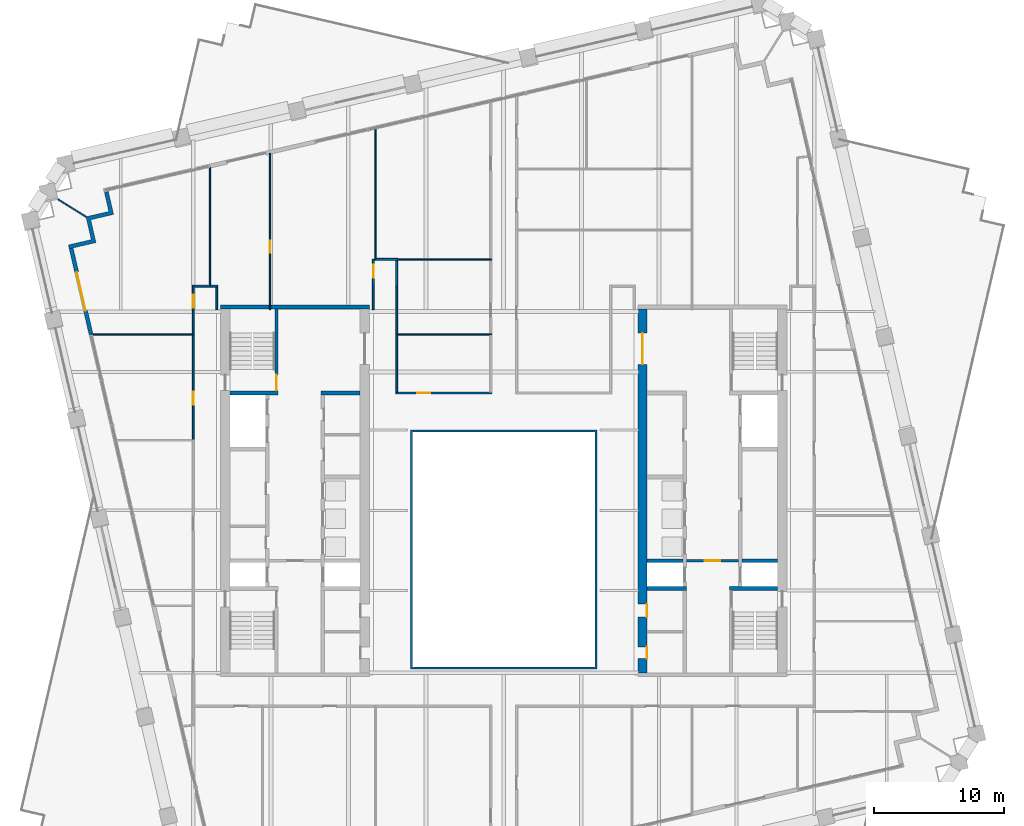
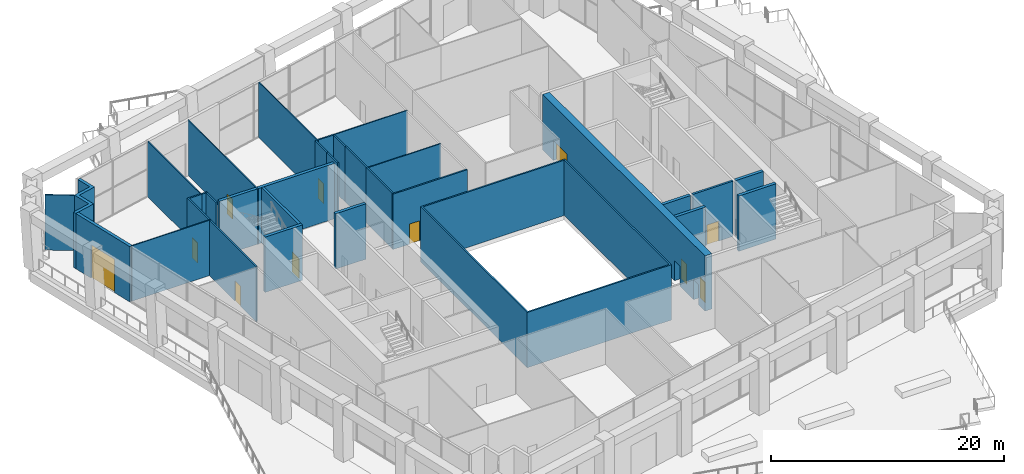
# One storey, part 14 of 24: 32 walls, 11 doors, 11 openings.
"""IFC4 building model written with IfcOpenShell, lengths in metres."""

from ifc_helpers import new_model, si_unit, direction, frame, frame_2d, origin, place, context, subcontext, project, spatial, polyline, rectangle, outline, extrude, material, layer, layer_set, type_object, element, fill, save


model = new_model("IFC4")

# Units and contexts
model_context = context("Model", 3, precision=1e-05, world=origin(), true_north=direction((0.0, 1.0)))
body_context = subcontext(model_context, "Body", "Model", "MODEL_VIEW")
ifc_project = project(units=[si_unit("LENGTHUNIT", "METRE"), si_unit("AREAUNIT", "SQUARE_METRE"), si_unit("VOLUMEUNIT", "CUBIC_METRE"), si_unit("PLANEANGLEUNIT", "RADIAN"), si_unit("MASSUNIT", "GRAM", prefix="KILO")], contexts=[model_context])

# Site, building, storey
site_placement = place(None, origin())
site = spatial("IfcSite", under=ifc_project, at=site_placement, CompositionType="ELEMENT")
building_placement = place(site_placement, origin())
building = spatial("IfcBuilding", under=site, at=building_placement, Name="Ogive Exchange Tower", CompositionType="ELEMENT")
storey_placement = place(building_placement, frame((0.0, 0.0, 165.60009765625)))
storey = spatial("IfcBuildingStorey", under=building, at=storey_placement, Name="L36", CompositionType="ELEMENT", Elevation=165.60009765625)

# Wall
ifc_material_1 = material(Name="Gypsum board partition")
ifc_layer_1 = layer(ifc_material_1, 0.300048828125)
ifc_layer_set_1 = layer_set([ifc_layer_1], Name="Core room partition 300 gypsum")
wall_type_1 = type_object("IfcWallType", Name="Core room partition 300 gypsum", PredefinedType="PARTITIONING", material=ifc_layer_set_1)
wall_1_placement = place(storey_placement, frame((-14.0, 19.0, 0.0), z_axis=(0.0, 0.0, 1.0), x_axis=(1.0, 0.0, 0.0)))
element("IfcWall", 1, at=wall_1_placement, inside=storey, type_object=wall_type_1, Name="W row B room end wall 7", PredefinedType="PARTITIONING", context=body_context, shape_type="SweptSolid", body=[
    extrude(rectangle(XDim=3.0, YDim=0.300048828125, at=frame_2d((1.5, 0.0))), origin(), (0.0, 0.0, 1.0), 5.7998046875),
])

# Wall, opening, door
ifc_material_2 = material(Name="Fire partition EI 60 150")
ifc_layer_2 = layer(ifc_material_2, 0.14990234375)
ifc_layer_set_2 = layer_set([ifc_layer_2], Name="Fire partition EI 60 150")
wall_type_2 = type_object("IfcWallType", Name="Fire partition EI 60 150", PredefinedType="PARTITIONING", material=ifc_layer_set_2)
wall_2_placement = place(storey_placement, frame((-23.800048828125, 15.429931640625, 0.0), z_axis=(0.0, 0.0, 1.0), x_axis=(0.0, 1.0, 0.0)))
wall_2 = element("IfcWall", 2, at=wall_2_placement, inside=storey, type_object=wall_type_2, Name="L36-PWL-007", PredefinedType="PARTITIONING", context=body_context, shape_type="SweptSolid", body=[
    extrude(rectangle(XDim=8.010009765625, YDim=0.14990234375, at=frame_2d((4.0048828125, 0.0))), origin(), (0.0, 0.0, 1.0), 5.7998046875),
])
opening_1_placement = place(wall_2_placement, frame((2.659912109375, 0.0, 0.0)))
opening_1 = element("IfcOpeningElement", 3, at=opening_1_placement, cuts=wall_2, Name="Opening L36-I02", PredefinedType="OPENING", context=body_context, shape_type="SweptSolid", body=[
    extrude(rectangle(XDim=1.0, YDim=2.10009765625, at=frame_2d((0.5, 1.050048828125))), frame((0.0, 0.0849609375, 0.0), z_axis=(0.0, -1.0, 0.0), x_axis=(1.0, 0.0, 0.0)), (0.0, 0.0, 1.0), 0.169921875),
])
ifc_material_3 = material(Name="Fire door FD 30S 1000 x 2100")
door_type_1 = type_object("IfcDoorType", Name="Fire door FD 30S 1000 x 2100", OperationType="NOTDEFINED", PredefinedType="DOOR", material=ifc_material_3)
door_1_placement = place(opening_1_placement, origin())
door_1 = element("IfcDoor", 4, at=door_1_placement, inside=storey, type_object=door_type_1, Name="L36-IDR-002", ObjectType="DT3", OperationType="SINGLE_SWING_RIGHT", OverallHeight=2.10009765625, OverallWidth=1.0, PredefinedType="DOOR", context=body_context, shape_type="SweptSolid", body=[
    extrude(rectangle(XDim=1.0, YDim=2.10009765625, at=frame_2d((0.5, 1.050048828125))), frame((0.0, 0.02490234375, 0.0), z_axis=(0.0, -1.0, 0.0), x_axis=(1.0, 0.0, 0.0)), (0.0, 0.0, 1.0), 0.050048828125),
])
fill(opening_1, door_1)

wall_3_placement = place(storey_placement, frame((-23.800048828125, 23.5400390625, 0.0), z_axis=(0.0, 0.0, 1.0), x_axis=(0.0, 1.0, 0.0)))
wall_3 = element("IfcWall", 5, at=wall_3_placement, inside=storey, type_object=wall_type_2, Name="L36-PWL-008", PredefinedType="PARTITIONING", context=body_context, shape_type="SweptSolid", body=[
    extrude(rectangle(XDim=3.73486328125, YDim=0.14990234375, at=frame_2d((1.867431640625, 0.0))), origin(), (0.0, 0.0, 1.0), 5.7998046875),
])
opening_2_placement = place(wall_3_placement, frame((2.010009765625, 0.0, 0.0)))
opening_2 = element("IfcOpeningElement", 6, at=opening_2_placement, cuts=wall_3, Name="Opening L36-I08", PredefinedType="OPENING", context=body_context, shape_type="SweptSolid", body=[
    extrude(rectangle(XDim=1.0, YDim=2.10009765625, at=frame_2d((0.5, 1.050048828125))), frame((0.0, 0.0849609375, 0.0), z_axis=(0.0, -1.0, 0.0), x_axis=(1.0, 0.0, 0.0)), (0.0, 0.0, 1.0), 0.169921875),
])
door_2_placement = place(opening_2_placement, origin())
door_2 = element("IfcDoor", 7, at=door_2_placement, inside=storey, type_object=door_type_1, Name="L36-IDR-008", ObjectType="DT3", OperationType="SINGLE_SWING_RIGHT", OverallHeight=2.10009765625, OverallWidth=1.0, PredefinedType="DOOR", context=body_context, shape_type="SweptSolid", body=[
    extrude(rectangle(XDim=1.0, YDim=2.10009765625, at=frame_2d((0.5, 1.050048828125))), frame((0.0, 0.02490234375, 0.0), z_axis=(0.0, -1.0, 0.0), x_axis=(1.0, 0.0, 0.0)), (0.0, 0.0, 1.0), 0.050048828125),
])
fill(opening_2, door_2)

# Walls
wall_4_placement = place(storey_placement, frame((-23.72509765625, 27.199951171875, 0.0), z_axis=(0.0, 0.0, 1.0), x_axis=(1.0, 0.0, 0.0)))
element("IfcWall", 8, at=wall_4_placement, inside=storey, type_object=wall_type_2, Name="L36-PWL-009", PredefinedType="PARTITIONING", context=body_context, shape_type="SweptSolid", body=[
    extrude(rectangle(XDim=1.255126953125, YDim=0.14990234375, at=frame_2d((0.62744140625, 0.0))), origin(), (0.0, 0.0, 1.0), 5.7998046875),
])
wall_5_placement = place(storey_placement, frame((-22.469970703125, 27.199951171875, 0.0), z_axis=(0.0, 0.0, 1.0), x_axis=(1.0, 0.0, 0.0)))
element("IfcWall", 9, at=wall_5_placement, inside=storey, type_object=wall_type_2, Name="L36-PWL-013", PredefinedType="PARTITIONING", context=body_context, shape_type="SweptSolid", body=[
    extrude(rectangle(XDim=0.544921875, YDim=0.14990234375, at=frame_2d((0.2724609375, 0.0))), origin(), (0.0, 0.0, 1.0), 5.7998046875),
])
wall_6_placement = place(storey_placement, frame((-22.0, 27.125, 0.0), z_axis=(0.0, 0.0, 1.0), x_axis=(0.0, -1.0, 0.0)))
element("IfcWall", 10, at=wall_6_placement, inside=storey, type_object=wall_type_2, Name="L36-PWL-014", PredefinedType="PARTITIONING", context=body_context, shape_type="SweptSolid", body=[
    extrude(rectangle(XDim=1.72509765625, YDim=0.14990234375, at=frame_2d((0.862548828125, 0.0))), origin(), (0.0, 0.0, 1.0), 5.7998046875),
])
wall_7_placement = place(storey_placement, frame((-10.0, 25.389892578125, 0.0), z_axis=(0.0, 0.0, 1.0), x_axis=(0.0, 1.0, 0.0)))
element("IfcWall", 11, at=wall_7_placement, inside=storey, type_object=wall_type_2, Name="L36-PWL-020", PredefinedType="PARTITIONING", context=body_context, shape_type="SweptSolid", body=[
    extrude(rectangle(XDim=1.81005859375, YDim=0.14990234375, at=frame_2d((0.905029296875, 0.0))), origin(), (0.0, 0.0, 1.0), 5.7998046875),
])

# Wall, opening, door
wall_8_placement = place(storey_placement, frame((-9.989990234375, 27.199951171875, 0.0), z_axis=(0.0, 0.0, 1.0), x_axis=(0.0, 1.0, 0.0)))
wall_8 = element("IfcWall", 12, at=wall_8_placement, inside=storey, type_object=wall_type_2, Name="L36-PWL-021", PredefinedType="PARTITIONING", context=body_context, shape_type="SweptSolid", body=[
    extrude(rectangle(XDim=2.0400390625, YDim=0.14990234375, at=frame_2d((1.02001953125, 0.0))), origin(), (0.0, 0.0, 1.0), 5.7998046875),
])
opening_3_placement = place(wall_8_placement, frame((0.639892578125, 0.0, 0.0)))
opening_3 = element("IfcOpeningElement", 13, at=opening_3_placement, cuts=wall_8, Name="Opening L36-I06", PredefinedType="OPENING", context=body_context, shape_type="SweptSolid", body=[
    extrude(rectangle(XDim=1.0, YDim=2.10009765625, at=frame_2d((0.5, 1.050048828125))), frame((0.0, 0.0849609375, 0.0), z_axis=(0.0, -1.0, 0.0), x_axis=(1.0, 0.0, 0.0)), (0.0, 0.0, 1.0), 0.169921875),
])
door_3_placement = place(opening_3_placement, origin())
door_3 = element("IfcDoor", 14, at=door_3_placement, inside=storey, type_object=door_type_1, Name="L36-IDR-006", ObjectType="DT3", OperationType="SINGLE_SWING_RIGHT", OverallHeight=2.10009765625, OverallWidth=1.0, PredefinedType="DOOR", context=body_context, shape_type="SweptSolid", body=[
    extrude(rectangle(XDim=1.0, YDim=2.10009765625, at=frame_2d((0.5, 1.050048828125))), frame((0.0, 0.02490234375, 0.0), z_axis=(0.0, -1.0, 0.0), x_axis=(1.0, 0.0, 0.0)), (0.0, 0.0, 1.0), 0.050048828125),
])
fill(opening_3, door_3)

# Walls
wall_9_placement = place(storey_placement, frame((-9.780029296875, 29.239990234375, 0.0), z_axis=(0.0, 0.0, 1.0), x_axis=(1.0, 0.0, 0.0)))
element("IfcWall", 15, at=wall_9_placement, inside=storey, type_object=wall_type_2, Name="L36-PWL-026", PredefinedType="PARTITIONING", context=body_context, shape_type="SweptSolid", body=[
    extrude(rectangle(XDim=1.64501953125, YDim=0.14990234375, at=frame_2d((0.822509765625, 0.0))), origin(), (0.0, 0.0, 1.0), 5.7998046875),
])
wall_10_placement = place(storey_placement, frame((-8.2099609375, 29.1650390625, 0.0), z_axis=(0.0, 0.0, 1.0), x_axis=(0.0, -1.0, 0.0)))
element("IfcWall", 16, at=wall_10_placement, inside=storey, type_object=wall_type_2, Name="L36-PWL-027", PredefinedType="PARTITIONING", context=body_context, shape_type="SweptSolid", body=[
    extrude(rectangle(XDim=1.965087890625, YDim=0.14990234375, at=frame_2d((0.982421875, 0.0))), origin(), (0.0, 0.0, 1.0), 5.7998046875),
])

# Wall, opening, door
wall_11_placement = place(storey_placement, frame((-8.27490234375, 19.0, 0.0), z_axis=(0.0, 0.0, 1.0), x_axis=(1.0, 0.0, 0.0)))
wall_11 = element("IfcWall", 17, at=wall_11_placement, inside=storey, type_object=wall_type_2, Name="L36-PWL-029", PredefinedType="PARTITIONING", context=body_context, shape_type="SweptSolid", body=[
    extrude(rectangle(XDim=7.35986328125, YDim=0.14990234375, at=frame_2d((3.679931640625, 0.0))), origin(), (0.0, 0.0, 1.0), 5.7998046875),
])
opening_4_placement = place(wall_11_placement, frame((1.635009765625, 0.0, 0.0)))
opening_4 = element("IfcOpeningElement", 18, at=opening_4_placement, cuts=wall_11, Name="Opening L36-I03", PredefinedType="OPENING", context=body_context, shape_type="SweptSolid", body=[
    extrude(rectangle(XDim=1.0, YDim=2.10009765625, at=frame_2d((0.5, 1.050048828125))), frame((0.0, 0.0849609375, 0.0), z_axis=(0.0, -1.0, 0.0), x_axis=(1.0, 0.0, 0.0)), (0.0, 0.0, 1.0), 0.169921875),
])
door_4_placement = place(opening_4_placement, origin())
door_4 = element("IfcDoor", 19, at=door_4_placement, inside=storey, type_object=door_type_1, Name="L36-IDR-003", ObjectType="DT3", OperationType="SINGLE_SWING_RIGHT", OverallHeight=2.10009765625, OverallWidth=1.0, PredefinedType="DOOR", context=body_context, shape_type="SweptSolid", body=[
    extrude(rectangle(XDim=1.0, YDim=2.10009765625, at=frame_2d((0.5, 1.050048828125))), frame((0.0, 0.02490234375, 0.0), z_axis=(0.0, -1.0, 0.0), x_axis=(1.0, 0.0, 0.0)), (0.0, 0.0, 1.0), 0.050048828125),
])
fill(opening_4, door_4)

# Walls
wall_12_placement = place(storey_placement, frame((-8.199951171875, 23.5400390625, 0.0), z_axis=(0.0, 0.0, 1.0), x_axis=(0.0, -1.0, 0.0)))
element("IfcWall", 20, at=wall_12_placement, inside=storey, type_object=wall_type_2, Name="L36-PWL-030", PredefinedType="PARTITIONING", context=body_context, shape_type="SweptSolid", body=[
    extrude(rectangle(XDim=4.465087890625, YDim=0.14990234375, at=frame_2d((2.232421875, 0.0))), origin(), (0.0, 0.0, 1.0), 5.7998046875),
])
wall_13_placement = place(storey_placement, frame((-8.199951171875, 27.199951171875, 0.0), z_axis=(0.0, 0.0, 1.0), x_axis=(0.0, -1.0, 0.0)))
element("IfcWall", 21, at=wall_13_placement, inside=storey, type_object=wall_type_2, Name="L36-PWL-032", PredefinedType="PARTITIONING", context=body_context, shape_type="SweptSolid", body=[
    extrude(rectangle(XDim=3.659912109375, YDim=0.14990234375, at=frame_2d((1.830078125, 0.0))), origin(), (0.0, 0.0, 1.0), 5.7998046875),
])
ifc_material_4 = material(Name="Fire-resisting glass in steel frame", Category="steel")
ifc_layer_3 = layer(ifc_material_4, 0.14990234375)
ifc_layer_set_3 = layer_set([ifc_layer_3], Name="Fire-rated glazed wall 150")
wall_type_3 = type_object("IfcWallType", Name="Fire-rated glazed wall 150", PredefinedType="STANDARD", material=ifc_layer_set_3)
wall_14_placement = place(storey_placement, origin())
element("IfcWall", 22, at=wall_14_placement, inside=storey, type_object=wall_type_3, Name="Nave enclosure wall", PredefinedType="STANDARD", context=body_context, shape_type="SweptSolid", body=[
    extrude(outline(polyline([(-7.14990234375, -2.14990234375), (7.14990234375, -2.14990234375), (7.14990234375, 16.14990234375), (-7.14990234375, 16.14990234375), (-7.14990234375, -2.14990234375)]), holes=[polyline([(-7.0, -2.0), (-7.0, 16.0), (7.0, 16.0), (7.0, -2.0), (-7.0, -2.0)])]), origin(), (0.0, 0.0, 1.0), 5.7998046875),
])

# Wall, opening, door
ifc_material_5 = material(Name="Precast concrete C40/50", Category="concrete")
ifc_layer_4 = layer(ifc_material_5, 0.300048828125)
ifc_layer_set_4 = layer_set([ifc_layer_4], Name="Limestone-faced wall 300")
wall_type_4 = type_object("IfcWallType", Name="Limestone-faced wall 300", PredefinedType="STANDARD", material=ifc_layer_set_4)
wall_15_placement = place(storey_placement, frame((-33.1572265625, 30.092041015625, 0.0), z_axis=(0.0, 0.0, 1.0), x_axis=(0.224961553766, -0.974367640743, 0.0)))
wall_15 = element("IfcWall", 23, at=wall_15_placement, inside=storey, type_object=wall_type_4, Name="External wall W7", PredefinedType="STANDARD", context=body_context, shape_type="SweptSolid", body=[
    extrude(rectangle(XDim=6.814208984375, YDim=0.300048828125, at=frame_2d((3.4072265625, 0.0))), origin(), (0.0, 0.0, 1.0), 5.7998046875),
])
opening_5_placement = place(wall_15_placement, frame((1.906982421875, 0.0, 0.0)))
opening_5 = element("IfcOpeningElement", 24, at=opening_5_placement, cuts=wall_15, Name="Opening D2", PredefinedType="OPENING", context=body_context, shape_type="SweptSolid", body=[
    extrude(rectangle(XDim=3.0, YDim=3.5, at=frame_2d((1.5, 1.75))), frame((0.0, 0.159912109375, 0.0), z_axis=(0.0, -1.0, 0.0), x_axis=(1.0, 0.0, 0.0)), (0.0, 0.0, 1.0), 0.320068359375),
])
ifc_material_6 = material(Name="Clear glass in bronze frame", Category="glass")
door_type_2 = type_object("IfcDoorType", Name="Winter garden sliding door 3000 x 3500", OperationType="DOUBLE_DOOR_SLIDING", PredefinedType="DOOR", material=ifc_material_6)
door_5_placement = place(opening_5_placement, origin())
door_5 = element("IfcDoor", 25, at=door_5_placement, inside=storey, type_object=door_type_2, Name="Loggia door W00", OperationType="DOUBLE_DOOR_SLIDING", OverallHeight=3.5, OverallWidth=3.0, PredefinedType="DOOR", context=body_context, shape_type="SweptSolid", body=[
    extrude(rectangle(XDim=3.0, YDim=3.5, at=frame_2d((1.5, 1.75))), frame((0.0, 0.02490234375, 0.0), z_axis=(0.0, -1.0, 0.0), x_axis=(1.0, 0.0, 0.0)), (0.0, 0.0, 1.0), 0.050048828125),
])
fill(opening_5, door_5)

# Walls
wall_16_placement = place(storey_placement, origin())
element("IfcWall", 26, at=wall_16_placement, inside=storey, type_object=wall_type_4, Name="External corner wall C3", PredefinedType="STANDARD", context=body_context, shape_type="SweptSolid", body=[
    extrude(outline(polyline([(-31.616943359375, 30.755615234375), (-32.02197265625, 32.509521484375), (-30.26806640625, 32.914306640625), (-30.60546875, 34.3759765625), (-30.31298828125, 34.443359375), (-29.908203125, 32.689697265625), (-31.662109375, 32.28466796875), (-31.257080078125, 30.53076171875), (-33.30322265625, 30.058349609375), (-33.370849609375, 30.3505859375), (-31.616943359375, 30.755615234375)])), origin(), (0.0, 0.0, 1.0), 5.7998046875),
])
ifc_material_7 = material(Name="Laminated safety glass in steel frame", Category="steel")
ifc_layer_5 = layer(ifc_material_7, 0.10009765625)
ifc_layer_set_5 = layer_set([ifc_layer_5], Name="Loggia end screen 100")
wall_type_5 = type_object("IfcWallType", Name="Loggia end screen 100", PredefinedType="STANDARD", material=ifc_layer_set_5)
wall_17_placement = place(storey_placement, frame((-32.02197265625, 32.509521484375, 0.0), z_axis=(0.0, 0.0, 1.0), x_axis=(-0.848047176257, 0.529920736377, 0.0)))
element("IfcWall", 27, at=wall_17_placement, inside=storey, type_object=wall_type_5, Name="Loggia end screen C3", PredefinedType="STANDARD", context=body_context, shape_type="SweptSolid", body=[
    extrude(rectangle(XDim=2.525634765625, YDim=0.10009765625, at=frame_2d((1.2626953125, 0.0))), origin(), (0.0, 0.0, 1.0), 5.7998046875),
])
ifc_material_8 = material(Name="Partition 100 gypsum")
ifc_layer_6 = layer(ifc_material_8, 0.10009765625)
ifc_layer_set_6 = layer_set([ifc_layer_6], Name="Partition 100 gypsum")
wall_type_6 = type_object("IfcWallType", Name="Partition 100 gypsum", PredefinedType="PARTITIONING", material=ifc_layer_set_6)
wall_18_placement = place(storey_placement, frame((-31.56201171875, 23.489990234375, 0.0), z_axis=(0.0, 0.0, 1.0), x_axis=(1.0, 0.0, 0.0)))
element("IfcWall", 28, at=wall_18_placement, inside=storey, type_object=wall_type_6, Name="L36-PWL-001", PredefinedType="PARTITIONING", context=body_context, shape_type="SweptSolid", body=[
    extrude(rectangle(XDim=7.8369140625, YDim=0.10009765625, at=frame_2d((3.91845703125, 0.0))), origin(), (0.0, 0.0, 1.0), 5.7998046875),
])
wall_19_placement = place(storey_placement, frame((-22.52001953125, 27.27490234375, 0.0), z_axis=(0.0, 0.0, 1.0), x_axis=(0.0, 1.0, 0.0)))
element("IfcWall", 29, at=wall_19_placement, inside=storey, type_object=wall_type_6, Name="L36-PWL-012", PredefinedType="PARTITIONING", context=body_context, shape_type="SweptSolid", body=[
    extrude(rectangle(XDim=9.050048828125, YDim=0.10009765625, at=frame_2d((4.52490234375, 0.0))), origin(), (0.0, 0.0, 1.0), 5.7998046875),
])

# Wall, opening, door
wall_20_placement = place(storey_placement, frame((-17.919921875, 25.39990234375, 0.0), z_axis=(0.0, 0.0, 1.0), x_axis=(0.0, 1.0, 0.0)))
wall_20 = element("IfcWall", 30, at=wall_20_placement, inside=storey, type_object=wall_type_6, Name="L36-PWL-018", PredefinedType="PARTITIONING", context=body_context, shape_type="SweptSolid", body=[
    extrude(rectangle(XDim=11.987060546875, YDim=0.10009765625, at=frame_2d((5.99365234375, 0.0))), origin(), (0.0, 0.0, 1.0), 5.7998046875),
])
opening_6_placement = place(wall_20_placement, frame((4.360107421875, 0.0, 0.0)))
opening_6 = element("IfcOpeningElement", 31, at=opening_6_placement, cuts=wall_20, Name="Opening L36-I07", PredefinedType="OPENING", context=body_context, shape_type="SweptSolid", body=[
    extrude(rectangle(XDim=0.89990234375, YDim=2.10009765625, at=frame_2d((0.449951171875, 1.050048828125))), frame((0.0, 0.06005859375, 0.0), z_axis=(0.0, -1.0, 0.0), x_axis=(1.0, 0.0, 0.0)), (0.0, 0.0, 1.0), 0.1201171875),
])
ifc_material_9 = material(Name="Door 900 x 2100")
door_type_3 = type_object("IfcDoorType", Name="Door 900 x 2100", OperationType="NOTDEFINED", PredefinedType="DOOR", material=ifc_material_9)
door_6_placement = place(opening_6_placement, origin())
door_6 = element("IfcDoor", 32, at=door_6_placement, inside=storey, type_object=door_type_3, Name="L36-IDR-007", ObjectType="DT1", OperationType="SINGLE_SWING_RIGHT", OverallHeight=2.10009765625, OverallWidth=0.89990234375, PredefinedType="DOOR", context=body_context, shape_type="SweptSolid", body=[
    extrude(rectangle(XDim=0.89990234375, YDim=2.10009765625, at=frame_2d((0.449951171875, 1.050048828125))), frame((0.0, 0.02490234375, 0.0), z_axis=(0.0, -1.0, 0.0), x_axis=(1.0, 0.0, 0.0)), (0.0, 0.0, 1.0), 0.050048828125),
])
fill(opening_6, door_6)

# Walls
wall_21_placement = place(storey_placement, frame((-9.830078125, 29.1650390625, 0.0), z_axis=(0.0, 0.0, 1.0), x_axis=(0.0, 1.0, 0.0)))
element("IfcWall", 33, at=wall_21_placement, inside=storey, type_object=wall_type_6, Name="L36-PWL-025", PredefinedType="PARTITIONING", context=body_context, shape_type="SweptSolid", body=[
    extrude(rectangle(XDim=10.08984375, YDim=0.10009765625, at=frame_2d((5.044921875, 0.0))), origin(), (0.0, 0.0, 1.0), 5.7998046875),
])
wall_22_placement = place(storey_placement, frame((-8.135009765625, 29.239990234375, 0.0), z_axis=(0.0, 0.0, 1.0), x_axis=(1.0, 0.0, 0.0)))
element("IfcWall", 34, at=wall_22_placement, inside=storey, type_object=wall_type_6, Name="L36-PWL-028", PredefinedType="PARTITIONING", context=body_context, shape_type="SweptSolid", body=[
    extrude(rectangle(XDim=7.219970703125, YDim=0.10009765625, at=frame_2d((3.60986328125, 0.0))), origin(), (0.0, 0.0, 1.0), 5.7998046875),
])
wall_23_placement = place(storey_placement, frame((-8.125, 23.489990234375, 0.0), z_axis=(0.0, 0.0, 1.0), x_axis=(1.0, 0.0, 0.0)))
element("IfcWall", 35, at=wall_23_placement, inside=storey, type_object=wall_type_6, Name="L36-PWL-031", PredefinedType="PARTITIONING", context=body_context, shape_type="SweptSolid", body=[
    extrude(rectangle(XDim=7.2099609375, YDim=0.10009765625, at=frame_2d((3.60498046875, 0.0))), origin(), (0.0, 0.0, 1.0), 5.7998046875),
])

# Wall, opening, door
ifc_material_10 = material(Name="Concrete C70/85", Category="concrete")
ifc_layer_7 = layer(ifc_material_10, 0.199951171875)
ifc_layer_set_7 = layer_set([ifc_layer_7], Name="RC core wall 200 C70/85")
wall_type_7 = type_object("IfcWallType", Name="RC core wall 200 C70/85", PredefinedType="SHEAR", material=ifc_layer_set_7)
wall_24_placement = place(storey_placement, frame((14.0, 6.142822265625, 0.0), z_axis=(0.0, 0.0, 1.0), x_axis=(1.0, 0.0, 0.0)))
wall_24 = element("IfcWall", 36, at=wall_24_placement, inside=storey, type_object=wall_type_7, Name="E firefighting lobby wall", PredefinedType="SHEAR", context=body_context, shape_type="SweptSolid", body=[
    extrude(rectangle(XDim=4.0, YDim=0.199951171875, at=frame_2d((2.0, 0.0))), origin(), (0.0, 0.0, 1.0), 5.7998046875),
])
opening_7_placement = place(wall_24_placement, frame((1.39990234375, 0.0, 0.0)))
opening_7 = element("IfcOpeningElement", 37, at=opening_7_placement, cuts=wall_24, Name="Opening L36-C29", PredefinedType="OPENING", context=body_context, shape_type="SweptSolid", body=[
    extrude(rectangle(XDim=1.199951171875, YDim=2.10009765625, at=frame_2d((0.60009765625, 1.050048828125))), frame((0.0, 0.10986328125, 0.0), z_axis=(0.0, -1.0, 0.0), x_axis=(1.0, 0.0, 0.0)), (0.0, 0.0, 1.0), 0.219970703125),
])
ifc_material_11 = material(Name="Steel fire door", Category="steel")
door_type_4 = type_object("IfcDoorType", Name="Firefighting lobby door FD60 1200 x 2100", OperationType="NOTDEFINED", PredefinedType="DOOR", material=ifc_material_11)
door_7_placement = place(opening_7_placement, frame((1.199951171875, 0.0, 0.0), z_axis=(0.0, 0.0, 1.0), x_axis=(-1.0, 0.0, 0.0)))
door_7 = element("IfcDoor", 38, at=door_7_placement, inside=storey, type_object=door_type_4, Name="Firefighting lobby door", ObjectType="CD3", OperationType="SINGLE_SWING_RIGHT", OverallHeight=2.10009765625, OverallWidth=1.199951171875, PredefinedType="DOOR", context=body_context, shape_type="SweptSolid", body=[
    extrude(rectangle(XDim=1.199951171875, YDim=2.10009765625, at=frame_2d((0.60009765625, 1.050048828125))), frame((0.0, 0.02490234375, 0.0), z_axis=(0.0, -1.0, 0.0), x_axis=(1.0, 0.0, 0.0)), (0.0, 0.0, 1.0), 0.050048828125),
])
fill(opening_7, door_7)

ifc_layer_8 = layer(ifc_material_10, 0.25)
ifc_layer_set_8 = layer_set([ifc_layer_8], Name="RC core wall 250 C70/85")
wall_type_8 = type_object("IfcWallType", Name="RC core wall 250 C70/85", PredefinedType="SHEAR", material=ifc_layer_set_8)
wall_25_placement = place(storey_placement, frame((-17.425048828125, 19.14990234375, 0.0), z_axis=(0.0, 0.0, 1.0), x_axis=(0.0, 1.0, 0.0)))
wall_25 = element("IfcWall", 39, at=wall_25_placement, inside=storey, type_object=wall_type_8, Name="W stair N front wall", PredefinedType="SHEAR", context=body_context, shape_type="SweptSolid", body=[
    extrude(rectangle(XDim=6.300048828125, YDim=0.25, at=frame_2d((3.14990234375, 0.0))), origin(), (0.0, 0.0, 1.0), 5.7998046875),
])
opening_8_placement = place(wall_25_placement, frame((0.050048828125, 0.0, 0.0)))
opening_8 = element("IfcOpeningElement", 40, at=opening_8_placement, cuts=wall_25, Name="Opening L36-C16", PredefinedType="OPENING", context=body_context, shape_type="SweptSolid", body=[
    extrude(rectangle(XDim=1.199951171875, YDim=2.10009765625, at=frame_2d((0.60009765625, 1.050048828125))), frame((0.0, 0.135009765625, 0.0), z_axis=(0.0, -1.0, 0.0), x_axis=(1.0, 0.0, 0.0)), (0.0, 0.0, 1.0), 0.27001953125),
])
door_type_5 = type_object("IfcDoorType", Name="Stair door FD90 1200 x 2100", OperationType="NOTDEFINED", PredefinedType="DOOR", material=ifc_material_11)
door_8_placement = place(opening_8_placement, origin())
door_8 = element("IfcDoor", 41, at=door_8_placement, inside=storey, type_object=door_type_5, Name="Stair door", ObjectType="CD5", OperationType="SINGLE_SWING_RIGHT", OverallHeight=2.10009765625, OverallWidth=1.199951171875, PredefinedType="DOOR", context=body_context, shape_type="SweptSolid", body=[
    extrude(rectangle(XDim=1.199951171875, YDim=2.10009765625, at=frame_2d((0.60009765625, 1.050048828125))), frame((0.0, 0.02490234375, 0.0), z_axis=(0.0, -1.0, 0.0), x_axis=(1.0, 0.0, 0.0)), (0.0, 0.0, 1.0), 0.050048828125),
])
fill(opening_8, door_8)

# Walls
ifc_layer_9 = layer(ifc_material_10, 0.300048828125)
ifc_layer_set_9 = layer_set([ifc_layer_9], Name="RC core wall 300 C70/85")
wall_type_9 = type_object("IfcWallType", Name="RC core wall 300 C70/85", PredefinedType="SHEAR", material=ifc_layer_set_9)
wall_26_placement = place(storey_placement, frame((-21.699951171875, 25.60009765625, 0.0), z_axis=(0.0, 0.0, 1.0), x_axis=(1.0, 0.0, 0.0)))
element("IfcWall", 42, at=wall_26_placement, inside=storey, type_object=wall_type_9, Name="W north end wall", PredefinedType="SHEAR", context=body_context, shape_type="SweptSolid", body=[
    extrude(rectangle(XDim=11.39990234375, YDim=0.300048828125, at=frame_2d((5.699951171875, 0.0))), origin(), (0.0, 0.0, 1.0), 5.7998046875),
])
for number, where, z_axis, x_axis, name in (
    (43, (-21.0, 19.0, 0.0), (0.0, 0.0, 1.0), (1.0, 0.0, 0.0), "W stair N south wall"),
    (44, (17.300048828125, 4.0, 0.0), (0.0, 0.0, 1.0), (1.0, 0.0, 0.0), "E stair S north wall"),
):
    element("IfcWall", number, at=place(storey_placement, frame(where, z_axis=z_axis, x_axis=x_axis)), inside=storey, type_object=wall_type_9, Name=name, PredefinedType="SHEAR", context=body_context, shape_type="SweptSolid", body=[
        extrude(rectangle(XDim=3.699951171875, YDim=0.300048828125, at=frame_2d((1.85009765625, 0.0))), origin(), (0.0, 0.0, 1.0), 5.7998046875),
    ])
wall_27_placement = place(storey_placement, frame((18.25, 6.142822265625, 0.0), z_axis=(0.0, 0.0, 1.0), x_axis=(1.0, 0.0, 0.0)))
element("IfcWall", 45, at=wall_27_placement, inside=storey, type_object=wall_type_9, Name="E row A divider 1", PredefinedType="SHEAR", context=body_context, shape_type="SweptSolid", body=[
    extrude(rectangle(XDim=2.75, YDim=0.300048828125, at=frame_2d((1.375, 0.0))), origin(), (0.0, 0.0, 1.0), 5.7998046875),
])
wall_28_placement = place(storey_placement, frame((11.0, 4.0, 0.0), z_axis=(0.0, 0.0, 1.0), x_axis=(1.0, 0.0, 0.0)))
element("IfcWall", 46, at=wall_28_placement, inside=storey, type_object=wall_type_9, Name="E row B divider 0", PredefinedType="SHEAR", context=body_context, shape_type="SweptSolid", body=[
    extrude(rectangle(XDim=3.0, YDim=0.300048828125, at=frame_2d((1.5, 0.0))), origin(), (0.0, 0.0, 1.0), 5.7998046875),
])
wall_29_placement = place(storey_placement, frame((11.0, 6.142822265625, 0.0), z_axis=(0.0, 0.0, 1.0), x_axis=(1.0, 0.0, 0.0)))
element("IfcWall", 47, at=wall_29_placement, inside=storey, type_object=wall_type_9, Name="E row B divider 1", PredefinedType="SHEAR", context=body_context, shape_type="SweptSolid", body=[
    extrude(rectangle(XDim=2.75, YDim=0.300048828125, at=frame_2d((1.375, 0.0))), origin(), (0.0, 0.0, 1.0), 5.7998046875),
])

# Wall, openings, doors
ifc_layer_10 = layer(ifc_material_10, 0.699951171875)
ifc_layer_set_10 = layer_set([ifc_layer_10], Name="RC core wall 700 C70/85")
wall_type_10 = type_object("IfcWallType", Name="RC core wall 700 C70/85", PredefinedType="SHEAR", material=ifc_layer_set_10)
wall_30_placement = place(storey_placement, frame((10.64990234375, -2.449951171875, 0.0), z_axis=(0.0, 0.0, 1.0), x_axis=(0.0, 1.0, 0.0)))
wall_30 = element("IfcWall", 48, at=wall_30_placement, inside=storey, type_object=wall_type_10, Name="E inner wall", PredefinedType="SHEAR", context=body_context, shape_type="SweptSolid", body=[
    extrude(rectangle(XDim=27.89990234375, YDim=0.699951171875, at=frame_2d((13.949951171875, 0.0))), origin(), (0.0, 0.0, 1.0), 5.7998046875),
])
opening_9_placement = place(wall_30_placement, frame((23.64990234375, 0.0, 0.0)))
opening_9 = element("IfcOpeningElement", 49, at=opening_9_placement, cuts=wall_30, Name="Opening L36-C30", PredefinedType="OPENING", context=body_context, shape_type="SweptSolid", body=[
    extrude(rectangle(XDim=2.39990234375, YDim=2.10009765625, at=frame_2d((1.199951171875, 1.050048828125))), frame((0.0, 0.35986328125, 0.0), z_axis=(0.0, -1.0, 0.0), x_axis=(1.0, 0.0, 0.0)), (0.0, 0.0, 1.0), 0.719970703125),
])
opening_10_placement = place(wall_30_placement, frame((1.08740234375, 0.0, 0.0)))
opening_10 = element("IfcOpeningElement", 50, at=opening_10_placement, cuts=wall_30, Name="Opening L36-C35", PredefinedType="OPENING", context=body_context, shape_type="SweptSolid", body=[
    extrude(rectangle(XDim=0.89990234375, YDim=2.10009765625, at=frame_2d((0.449951171875, 1.050048828125))), frame((0.0, 0.35986328125, 0.0), z_axis=(0.0, -1.0, 0.0), x_axis=(1.0, 0.0, 0.0)), (0.0, 0.0, 1.0), 0.719970703125),
])
opening_11_placement = place(wall_30_placement, frame((4.262451171875, 0.0, 0.0)))
opening_11 = element("IfcOpeningElement", 51, at=opening_11_placement, cuts=wall_30, Name="Opening L36-C36", PredefinedType="OPENING", context=body_context, shape_type="SweptSolid", body=[
    extrude(rectangle(XDim=1.0, YDim=2.10009765625, at=frame_2d((0.5, 1.050048828125))), frame((0.0, 0.35986328125, 0.0), z_axis=(0.0, -1.0, 0.0), x_axis=(1.0, 0.0, 0.0)), (0.0, 0.0, 1.0), 0.719970703125),
])
ifc_material_12 = material(Name="Timber fire door", Category="wood")
door_type_6 = type_object("IfcDoorType", Name="Accessible WC door FD30S 1000 x 2100", OperationType="NOTDEFINED", PredefinedType="DOOR", material=ifc_material_12)
door_9_placement = place(opening_11_placement, frame((1.0, -0.64990234375, 0.0), z_axis=(0.0, 0.0, 1.0), x_axis=(-1.0, 0.0, 0.0)))
door_9 = element("IfcDoor", 52, at=door_9_placement, inside=storey, type_object=door_type_6, Name="Accessible WC door", ObjectType="CD7", OperationType="SINGLE_SWING_RIGHT", OverallHeight=2.10009765625, OverallWidth=1.0, PredefinedType="DOOR", context=body_context, shape_type="SweptSolid", body=[
    extrude(rectangle(XDim=1.0, YDim=2.10009765625, at=frame_2d((0.5, 1.050048828125))), frame((0.0, -0.2998046875, 0.0), z_axis=(0.0, -1.0, 0.0), x_axis=(1.0, 0.0, 0.0)), (0.0, 0.0, 1.0), 0.050048828125),
])
fill(opening_11, door_9)
door_type_7 = type_object("IfcDoorType", Name="Core room door FD30S 900 x 2100", OperationType="NOTDEFINED", PredefinedType="DOOR", material=ifc_material_12)
door_10_placement = place(opening_10_placement, frame((0.89990234375, -0.64990234375, 0.0), z_axis=(0.0, 0.0, 1.0), x_axis=(-1.0, 0.0, 0.0)))
door_10 = element("IfcDoor", 53, at=door_10_placement, inside=storey, type_object=door_type_7, Name="Core room door", ObjectType="CD6", OperationType="SINGLE_SWING_RIGHT", OverallHeight=2.10009765625, OverallWidth=0.89990234375, PredefinedType="DOOR", context=body_context, shape_type="SweptSolid", body=[
    extrude(rectangle(XDim=0.89990234375, YDim=2.10009765625, at=frame_2d((0.449951171875, 1.050048828125))), frame((0.0, -0.2998046875, 0.0), z_axis=(0.0, -1.0, 0.0), x_axis=(1.0, 0.0, 0.0)), (0.0, 0.0, 1.0), 0.050048828125),
])
fill(opening_10, door_10)
ifc_material_13 = material(Name="Glazed steel fire door", Category="steel")
door_type_8 = type_object("IfcDoorType", Name="Lift lobby double door FD60 2400 x 2100", OperationType="DOUBLE_DOOR_SINGLE_SWING", PredefinedType="DOOR", material=ifc_material_13)
door_11_placement = place(opening_9_placement, origin())
door_11 = element("IfcDoor", 54, at=door_11_placement, inside=storey, type_object=door_type_8, Name="Lift lobby double door", ObjectType="CD4", OperationType="DOUBLE_DOOR_SINGLE_SWING", OverallHeight=2.10009765625, OverallWidth=2.39990234375, PredefinedType="DOOR", context=body_context, shape_type="SweptSolid", body=[
    extrude(rectangle(XDim=2.39990234375, YDim=2.10009765625, at=frame_2d((1.199951171875, 1.050048828125))), frame((0.0, 0.02490234375, 0.0), z_axis=(0.0, -1.0, 0.0), x_axis=(1.0, 0.0, 0.0)), (0.0, 0.0, 1.0), 0.050048828125),
])
fill(opening_9, door_11)

save(model, "model.ifc")
